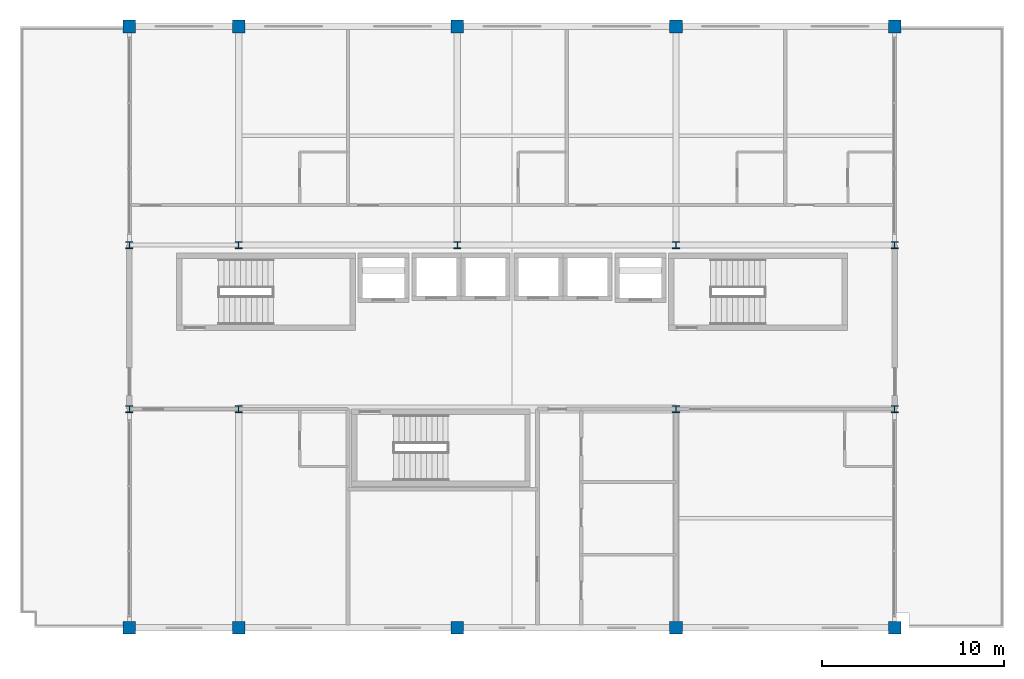
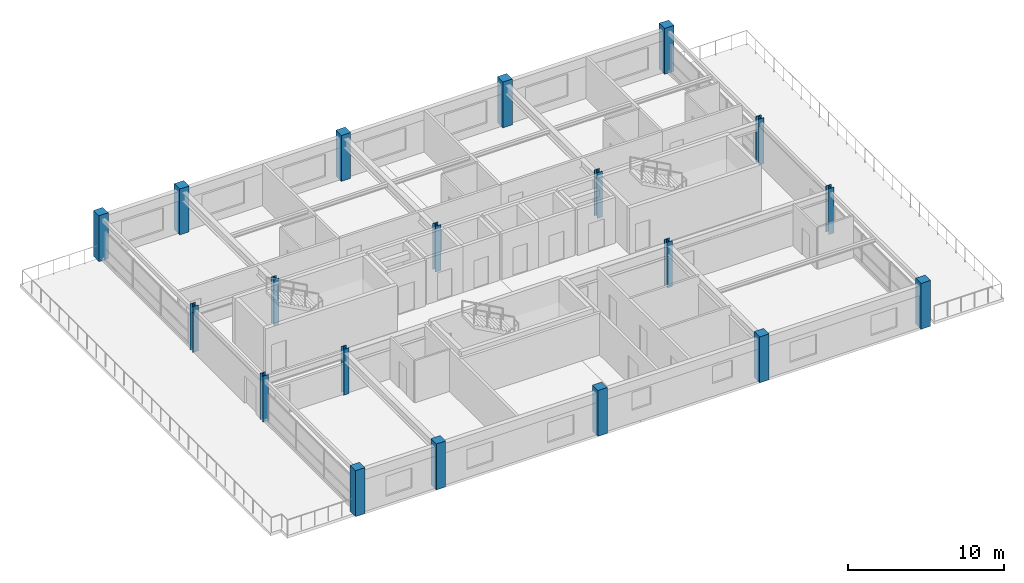
# One storey, part 1 of 24: 19 columns.
"""IFC4 building model written with IfcOpenShell, lengths in metres."""

from ifc_helpers import new_model, si_unit, direction, frame, origin, origin_2d, place, context, subcontext, project, spatial, rectangle, i_section, extrude, material, material_profile, profile_set, type_object, element, save


model = new_model("IFC4")

# Units and contexts
model_context = context("Model", 3, precision=1e-05, world=origin(), true_north=direction((0.0, 1.0)))
body_context = subcontext(model_context, "Body", "Model", "MODEL_VIEW")
ifc_project = project(units=[si_unit("LENGTHUNIT", "METRE"), si_unit("AREAUNIT", "SQUARE_METRE"), si_unit("VOLUMEUNIT", "CUBIC_METRE"), si_unit("PLANEANGLEUNIT", "RADIAN"), si_unit("MASSUNIT", "GRAM", prefix="KILO")], contexts=[model_context])

# Site, building, storey
site_placement = place(None, origin())
site = spatial("IfcSite", under=ifc_project, at=site_placement, CompositionType="ELEMENT")
building_placement = place(site_placement, origin())
building = spatial("IfcBuilding", under=site, at=building_placement, Name="Kaldorvane Square Convention Centre", CompositionType="ELEMENT")
storey_placement = place(building_placement, frame((0.0, 0.0, 60.0)))
storey = spatial("IfcBuildingStorey", under=building, at=storey_placement, Name="L14", CompositionType="ELEMENT", Elevation=60.0)

# Columns
ifc_material_1 = material(Name="Concrete f'c = 42 MPa (Normalweight)", Category="concrete")
ifc_material_profile_1 = material_profile(ifc_material_1, rectangle(XDim=0.6999969482421875, YDim=0.6999969482421875, at=origin_2d()), Name="RC700X700")
ifc_profile_set_1 = profile_set([ifc_material_profile_1], Name="Concrete f'c = 42 MPa (Normalweight)")
column_type_1 = type_object("IfcColumnType", Name="COL-RC-700", PredefinedType="COLUMN", material=ifc_profile_set_1)
for number, where, z_axis, x_axis, name in (
    (1, (36.0, 84.0, 0.0), (0.0, 0.0, 1.0), (1.0, 0.0, 0.0), "Column CC-06 (L14)"),
    (2, (36.0, 117.0, 0.0), (0.0, 0.0, 1.0), (1.0, 0.0, 0.0), "Column CC-06 (L14)"),
    (3, (42.0, 84.0, 0.0), (0.0, 0.0, 1.0), (1.0, 0.0, 0.0), "Column CC-06 (L14)"),
    (4, (42.0, 117.0, 0.0), (0.0, 0.0, 1.0), (1.0, 0.0, 0.0), "Column CC-06 (L14)"),
    (5, (54.0, 84.0, 0.0), (0.0, 0.0, 1.0), (1.0, 0.0, 0.0), "Column CC-06 (L14)"),
    (6, (54.0, 117.0, 0.0), (0.0, 0.0, 1.0), (1.0, 0.0, 0.0), "Column CC-06 (L14)"),
    (7, (66.0, 84.0, 0.0), (0.0, 0.0, 1.0), (1.0, 0.0, 0.0), "Column CC-06 (L14)"),
    (8, (66.0, 117.0, 0.0), (0.0, 0.0, 1.0), (1.0, 0.0, 0.0), "Column CC-06 (L14)"),
    (9, (78.0, 84.0, 0.0), (0.0, 0.0, 1.0), (1.0, 0.0, 0.0), "Column CC-06 (L14)"),
    (10, (78.0, 117.0, 0.0), (0.0, 0.0, 1.0), (1.0, 0.0, 0.0), "Column CC-06 (L14)"),
):
    element("IfcColumn", number, at=place(storey_placement, frame(where, z_axis=z_axis, x_axis=x_axis)), inside=storey, type_object=column_type_1, Name=name, PredefinedType="COLUMN", context=body_context, shape_type="SweptSolid", body=[
        extrude(rectangle(XDim=0.6999969482421875, YDim=0.6999969482421875, at=origin_2d()), origin(), (0.0, 0.0, 1.0), 3.600006103515625),
    ])
ifc_material_2 = material(Name="Steel ASTM A992 Gr. 50", Category="steel")
ifc_material_profile_2 = material_profile(ifc_material_2, i_section(OverallWidth=0.3975067138671875, OverallDepth=0.3865966796875, WebThickness=0.0211029052734375, FlangeThickness=0.033294677734375, FilletRadius=0.0305023193359375, at=origin_2d()), Name="W14X176")
ifc_profile_set_2 = profile_set([ifc_material_profile_2], Name="Steel ASTM A992 Gr. 50")
column_type_2 = type_object("IfcColumnType", Name="COL-STL-176", PredefinedType="COLUMN", material=ifc_profile_set_2)
for number, where, z_axis, x_axis, name in (
    (11, (36.0, 96.0, 0.0), (0.0, 0.0, 1.0), (1.0, 0.0, 0.0), "Column SC-09 (L14)"),
    (12, (36.0, 105.0, 0.0), (0.0, 0.0, 1.0), (1.0, 0.0, 0.0), "Column SC-09 (L14)"),
    (13, (42.0, 96.0, 0.0), (0.0, 0.0, 1.0), (1.0, 0.0, 0.0), "Column SC-09 (L14)"),
    (14, (42.0, 105.0, 0.0), (0.0, 0.0, 1.0), (1.0, 0.0, 0.0), "Column SC-09 (L14)"),
    (15, (54.0, 105.0, 0.0), (0.0, 0.0, 1.0), (1.0, 0.0, 0.0), "Column SC-09 (L14)"),
    (16, (66.0, 96.0, 0.0), (0.0, 0.0, 1.0), (1.0, 0.0, 0.0), "Column SC-09 (L14)"),
    (17, (66.0, 105.0, 0.0), (0.0, 0.0, 1.0), (1.0, 0.0, 0.0), "Column SC-09 (L14)"),
    (18, (78.0, 96.0, 0.0), (0.0, 0.0, 1.0), (1.0, 0.0, 0.0), "Column SC-09 (L14)"),
    (19, (78.0, 105.0, 0.0), (0.0, 0.0, 1.0), (1.0, 0.0, 0.0), "Column SC-09 (L14)"),
):
    element("IfcColumn", number, at=place(storey_placement, frame(where, z_axis=z_axis, x_axis=x_axis)), inside=storey, type_object=column_type_2, Name=name, PredefinedType="COLUMN", context=body_context, shape_type="SweptSolid", body=[
        extrude(i_section(OverallWidth=0.3975067138671875, OverallDepth=0.3865966796875, WebThickness=0.0211029052734375, FlangeThickness=0.033294677734375, FilletRadius=0.0305023193359375, at=origin_2d()), origin(), (0.0, 0.0, 1.0), 3.600006103515625),
    ])

save(model, "model.ifc")
